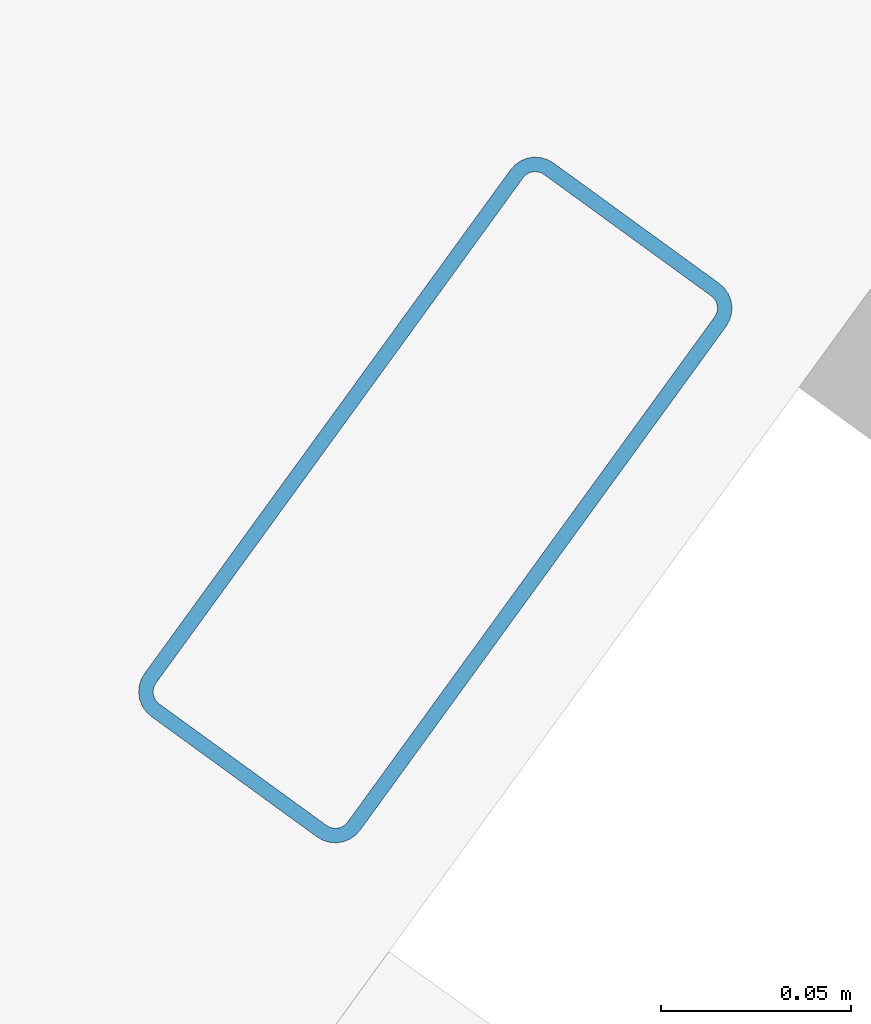
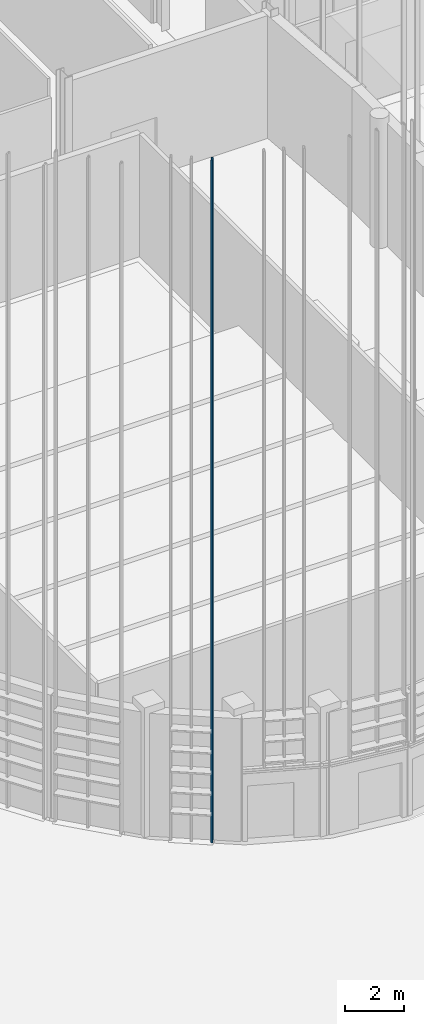
# One storey, part 49 of 372: 1 member.
"""IFC4 building model written with IfcOpenShell, lengths in metres."""

from ifc_helpers import new_model, si_unit, direction, frame, origin, origin_2d, place, context, subcontext, project, spatial, hollow_rectangle, extrude, material, material_profile, profile_set, type_object, element, save


model = new_model("IFC4")

# Units and contexts
model_context = context("Model", 3, precision=1e-05, world=origin(), true_north=direction((0.0, 1.0)))
body_context = subcontext(model_context, "Body", "Model", "MODEL_VIEW")
ifc_project = project(units=[si_unit("LENGTHUNIT", "METRE"), si_unit("AREAUNIT", "SQUARE_METRE"), si_unit("VOLUMEUNIT", "CUBIC_METRE"), si_unit("PLANEANGLEUNIT", "RADIAN"), si_unit("MASSUNIT", "GRAM", prefix="KILO")], contexts=[model_context])

# Site, building, storey
site_placement = place(None, origin())
site = spatial("IfcSite", under=ifc_project, at=site_placement, CompositionType="ELEMENT")
building_placement = place(site_placement, origin())
building = spatial("IfcBuilding", under=site, at=building_placement, Name="Kaelora Sail Theatre", CompositionType="ELEMENT")
storey_placement = place(building_placement, origin())
storey = spatial("IfcBuildingStorey", under=building, at=storey_placement, Name="L00", CompositionType="ELEMENT", Elevation=0.0)

# Member
ifc_material = material(Name="Anodised aluminium 6063-T6", Category="aluminium")
ifc_material_profile = material_profile(ifc_material, hollow_rectangle(XDim=0.070068359375, YDim=0.179931640625, WallThickness=0.00390625, InnerFilletRadius=0.00390625, OuterFilletRadius=0.008056640625, at=origin_2d()), Name="ALU-MULL 70x180x4")
ifc_profile_set = profile_set([ifc_material_profile], Name="Anodised aluminium 6063-T6")
member_type = type_object("IfcMemberType", Name="ARC-MEM-PST-160", PredefinedType="POST", material=ifc_profile_set)
member_placement = place(storey_placement, frame((35.500732421875, 25.6796875, 0.0), z_axis=(0.0, 0.0, 1.0), x_axis=(-0.809016994375, 0.587785252292, 0.0)))
element("IfcMember", 1, at=member_placement, inside=storey, type_object=member_type, Name="Main Theatre Sail Drum solar louvre vertical support post C14-1", PredefinedType="POST", context=body_context, shape_type="SweptSolid", body=[
    extrude(hollow_rectangle(XDim=0.070068359375, YDim=0.179931640625, WallThickness=0.00390625, InnerFilletRadius=0.00390625, OuterFilletRadius=0.008056640625, at=origin_2d()), origin(), (0.0, 0.0, 1.0), 28.375),
])

save(model, "model.ifc")
